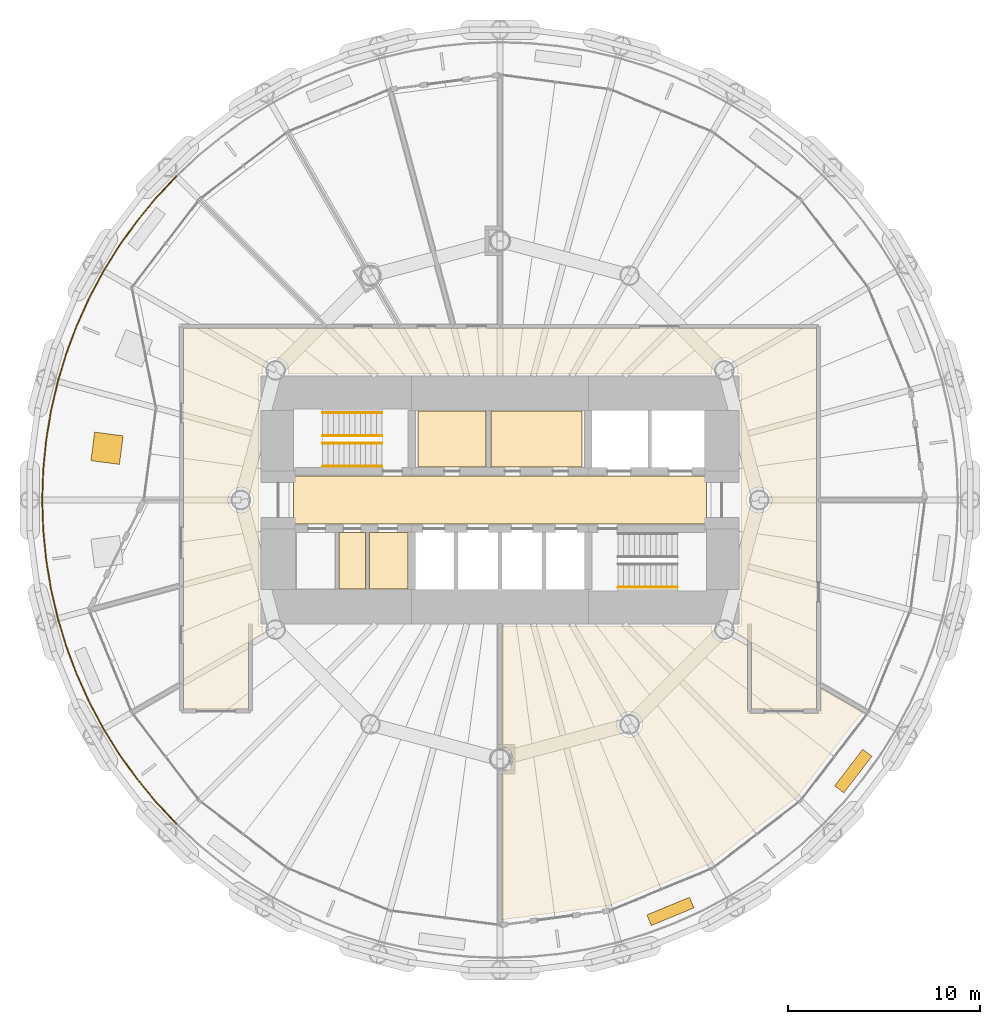
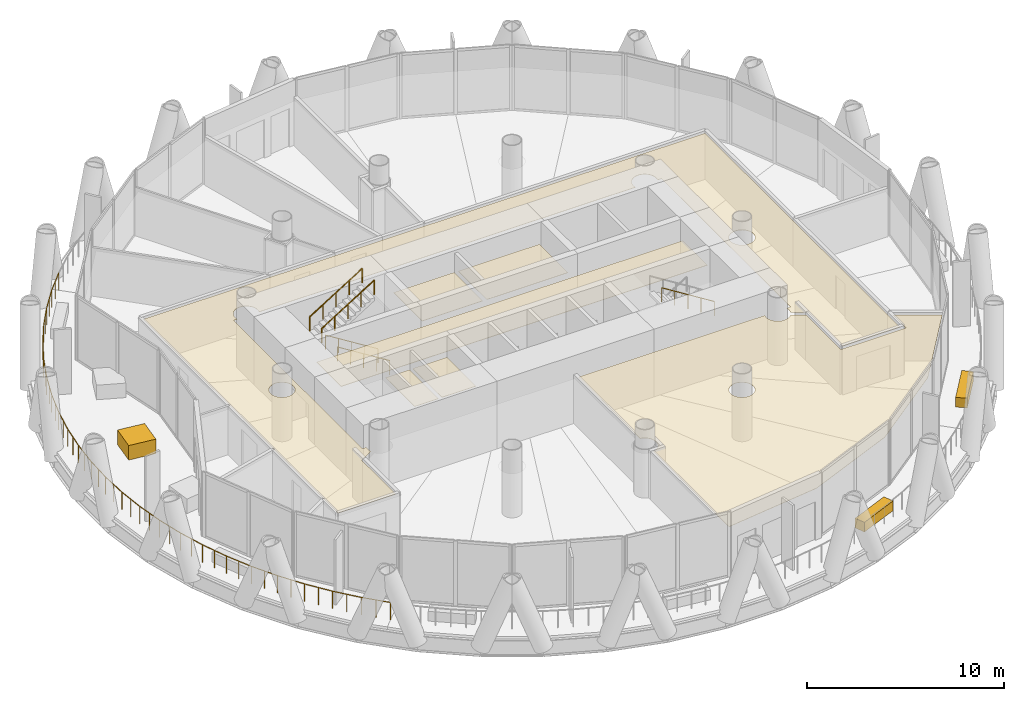
# One storey, part 14 of 16: 10 coverings, 6 railings.
"""IFC4 building model written with IfcOpenShell, lengths in metres."""

from ifc_helpers import new_model, si_unit, direction, frame, origin, origin_2d, place, context, subcontext, project, spatial, polyline, rectangle, circle, outline, extrude, material, layer, layer_set, type_object, element, save


model = new_model("IFC4")

# Units and contexts
model_context = context("Model", 3, precision=1e-05, world=origin(), true_north=direction((0.0, 1.0)))
body_context = subcontext(model_context, "Body", "Model", "MODEL_VIEW")
ifc_project = project(units=[si_unit("LENGTHUNIT", "METRE"), si_unit("AREAUNIT", "SQUARE_METRE"), si_unit("VOLUMEUNIT", "CUBIC_METRE"), si_unit("PLANEANGLEUNIT", "RADIAN"), si_unit("MASSUNIT", "GRAM", prefix="KILO")], contexts=[model_context])

# Site, building, storey
site_placement = place(None, origin())
site = spatial("IfcSite", under=ifc_project, at=site_placement, CompositionType="ELEMENT")
building_placement = place(site_placement, origin())
building = spatial("IfcBuilding", under=site, at=building_placement, Name="Qaws Media Tower", CompositionType="ELEMENT")
storey_placement = place(building_placement, frame((0.0, 0.0, 173.0)))
storey = spatial("IfcBuildingStorey", under=building, at=storey_placement, Name="L39", CompositionType="ELEMENT", Elevation=173.0)

# Railing
ifc_material_1 = material(Name="Stainless steel and glass guard", Category="steel")
railing_type_1 = type_object("IfcRailingType", Name="Balcony guard 1100", PredefinedType="GUARDRAIL", material=ifc_material_1)
railing_1_placement = place(storey_placement, frame((43.135498046875, 66.864501953125, 0.0)))
element("IfcRailing", 1, at=railing_1_placement, inside=storey, type_object=railing_type_1, Name="GR1 balcony guard L39-2", PredefinedType="GUARDRAIL", context=body_context, shape_type="SweptSolid", body=[
    extrude(circle(Radius=0.02392578125, at=origin_2d()), frame((0.0, 0.0, 1.076171875), z_axis=(-0.683576811025, -0.729878581292, 0.0), x_axis=(0.729878581292, -0.683576811025, 0.0)), (0.0, 0.0, 1.0), 1.560791015625),
    extrude(circle(Radius=0.02392578125, at=origin_2d()), frame((-1.06689453125, -1.13916015625, 1.076171875), z_axis=(-0.634395723596, -0.773008451366, 0.0), x_axis=(0.773008451366, -0.634395723596, 0.0)), (0.0, 0.0, 1.0), 1.560546875),
    extrude(circle(Radius=0.02392578125, at=origin_2d()), frame((-2.056884765625, -2.345458984375, 1.076171875), z_axis=(-0.582465550566, -0.812855388371, 0.0), x_axis=(0.812855388371, -0.582465550566, 0.0)), (0.0, 0.0, 1.0), 1.56103515625),
    extrude(circle(Radius=0.02392578125, at=origin_2d()), frame((-2.966064453125, -3.6142578125, 1.076171875), z_axis=(-0.528141483191, -0.849156389443, 0.0), x_axis=(0.849156389443, -0.528141483191, 0.0)), (0.0, 0.0, 1.0), 1.560546875),
    extrude(circle(Radius=0.02392578125, at=origin_2d()), frame((-3.790283203125, -4.939453125, 1.076171875), z_axis=(-0.471326923113, -0.881958577003, 0.0), x_axis=(0.881958577003, -0.471326923113, 0.0)), (0.0, 0.0, 1.0), 1.560791015625),
    extrude(circle(Radius=0.02392578125, at=origin_2d()), frame((-4.52587890625, -6.31591796875, 1.076171875), z_axis=(-0.412659401438, -0.910885403553, 0.0), x_axis=(0.910885403553, -0.412659401438, 0.0)), (0.0, 0.0, 1.0), 1.560791015625),
    extrude(circle(Radius=0.02392578125, at=origin_2d()), frame((-5.169921875, -7.737548828125, 1.076171875), z_axis=(-0.352271731208, -0.935897765459, 0.0), x_axis=(0.935897765459, -0.352271731208, 0.0)), (0.0, 0.0, 1.0), 1.560791015625),
    extrude(circle(Radius=0.02392578125, at=origin_2d()), frame((-5.7197265625, -9.1982421875, 1.076171875), z_axis=(-0.290346037683, -0.956921720101, 0.0), x_axis=(0.956921720101, -0.290346037683, 0.0)), (0.0, 0.0, 1.0), 1.560546875),
    extrude(circle(Radius=0.02392578125, at=origin_2d()), frame((-6.1728515625, -10.691650390625, 1.076171875), z_axis=(-0.227120829425, -0.973866586777, 0.0), x_axis=(0.973866586777, -0.227120829425, 0.0)), (0.0, 0.0, 1.0), 1.560791015625),
    extrude(circle(Radius=0.02392578125, at=origin_2d()), frame((-6.52734375, -12.211669921875, 1.076171875), z_axis=(-0.162851323247, -0.986650620289, 0.0), x_axis=(0.986650620289, -0.162851323247, 0.0)), (0.0, 0.0, 1.0), 1.560546875),
    extrude(circle(Radius=0.02392578125, at=origin_2d()), frame((-6.781494140625, -13.75146484375, 1.076171875), z_axis=(-0.097923827319, -0.995193912784, 0.0), x_axis=(0.995193912784, -0.097923827319, 0.0)), (0.0, 0.0, 1.0), 1.560791015625),
    extrude(circle(Radius=0.02392578125, at=origin_2d()), frame((-6.934326171875, -15.3046875, 1.076171875), z_axis=(-0.032851252607, -0.999460251937, 0.0), x_axis=(0.999460251937, -0.032851252607, 0.0)), (0.0, 0.0, 1.0), 1.560546875),
    extrude(circle(Radius=0.02392578125, at=origin_2d()), frame((-6.985595703125, -16.864501953125, 1.076171875), z_axis=(0.032851252607, -0.999460251937, 0.0), x_axis=(0.999460251937, 0.032851252607, 0.0)), (0.0, 0.0, 1.0), 1.560546875),
    extrude(circle(Radius=0.02392578125, at=origin_2d()), frame((-6.934326171875, -18.42431640625, 1.076171875), z_axis=(0.097923827319, -0.995193912784, 0.0), x_axis=(0.995193912784, 0.097923827319, 0.0)), (0.0, 0.0, 1.0), 1.560791015625),
    extrude(circle(Radius=0.02392578125, at=origin_2d()), frame((-6.781494140625, -19.9775390625, 1.076171875), z_axis=(0.162851323247, -0.986650620289, 0.0), x_axis=(0.986650620289, 0.162851323247, 0.0)), (0.0, 0.0, 1.0), 1.560546875),
    extrude(circle(Radius=0.02392578125, at=origin_2d()), frame((-6.52734375, -21.517333984375, 1.076171875), z_axis=(0.227120829425, -0.973866586777, 0.0), x_axis=(0.973866586777, 0.227120829425, 0.0)), (0.0, 0.0, 1.0), 1.560791015625),
    extrude(circle(Radius=0.02392578125, at=origin_2d()), frame((-6.1728515625, -23.037353515625, 1.076171875), z_axis=(0.290346037683, -0.956921720101, 0.0), x_axis=(0.956921720101, 0.290346037683, 0.0)), (0.0, 0.0, 1.0), 1.560546875),
    extrude(circle(Radius=0.02392578125, at=origin_2d()), frame((-5.7197265625, -24.53076171875, 1.076171875), z_axis=(0.352271731208, -0.935897765459, 0.0), x_axis=(0.935897765459, 0.352271731208, 0.0)), (0.0, 0.0, 1.0), 1.560791015625),
    extrude(circle(Radius=0.02392578125, at=origin_2d()), frame((-5.169921875, -25.991455078125, 1.076171875), z_axis=(0.412659401438, -0.910885403553, 0.0), x_axis=(0.910885403553, 0.412659401438, 0.0)), (0.0, 0.0, 1.0), 1.560791015625),
    extrude(circle(Radius=0.02392578125, at=origin_2d()), frame((-4.52587890625, -27.4130859375, 1.076171875), z_axis=(0.471326923113, -0.881958577003, 0.0), x_axis=(0.881958577003, 0.471326923113, 0.0)), (0.0, 0.0, 1.0), 1.560791015625),
    extrude(circle(Radius=0.02392578125, at=origin_2d()), frame((-3.790283203125, -28.78955078125, 1.076171875), z_axis=(0.528141483191, -0.849156389443, 0.0), x_axis=(0.849156389443, 0.528141483191, 0.0)), (0.0, 0.0, 1.0), 1.560546875),
    extrude(circle(Radius=0.02392578125, at=origin_2d()), frame((-2.966064453125, -30.11474609375, 1.076171875), z_axis=(0.582465550566, -0.812855388371, 0.0), x_axis=(0.812855388371, 0.582465550566, 0.0)), (0.0, 0.0, 1.0), 1.56103515625),
    extrude(circle(Radius=0.02392578125, at=origin_2d()), frame((-2.056884765625, -31.383544921875, 1.076171875), z_axis=(0.634395723596, -0.773008451366, 0.0), x_axis=(0.773008451366, 0.634395723596, 0.0)), (0.0, 0.0, 1.0), 1.560546875),
    extrude(circle(Radius=0.02392578125, at=origin_2d()), frame((-1.06689453125, -32.58984375, 1.076171875), z_axis=(0.683576811025, -0.729878581292, 0.0), x_axis=(0.729878581292, 0.683576811025, 0.0)), (0.0, 0.0, 1.0), 1.560791015625),
    extrude(circle(Radius=0.02099609375, at=origin_2d()), origin(), (0.0, 0.0, 1.0), 1.052001953125),
    extrude(circle(Radius=0.02099609375, at=origin_2d()), frame((-0.533447265625, -0.569580078125, 0.0)), (0.0, 0.0, 1.0), 1.052001953125),
    extrude(circle(Radius=0.02099609375, at=origin_2d()), frame((-1.06689453125, -1.13916015625, 0.0)), (0.0, 0.0, 1.0), 1.052001953125),
    extrude(circle(Radius=0.02099609375, at=origin_2d()), frame((-1.56201171875, -1.7421875, 0.0)), (0.0, 0.0, 1.0), 1.052001953125),
    extrude(circle(Radius=0.02099609375, at=origin_2d()), frame((-2.056884765625, -2.345458984375, 0.0)), (0.0, 0.0, 1.0), 1.052001953125),
    extrude(circle(Radius=0.02099609375, at=origin_2d()), frame((-2.511474609375, -2.97998046875, 0.0)), (0.0, 0.0, 1.0), 1.052001953125),
    extrude(circle(Radius=0.02099609375, at=origin_2d()), frame((-2.966064453125, -3.6142578125, 0.0)), (0.0, 0.0, 1.0), 1.052001953125),
    extrude(circle(Radius=0.02099609375, at=origin_2d()), frame((-3.378173828125, -4.27685546875, 0.0)), (0.0, 0.0, 1.0), 1.052001953125),
    extrude(circle(Radius=0.02099609375, at=origin_2d()), frame((-3.790283203125, -4.939453125, 0.0)), (0.0, 0.0, 1.0), 1.052001953125),
    extrude(circle(Radius=0.02099609375, at=origin_2d()), frame((-4.158203125, -5.627685546875, 0.0)), (0.0, 0.0, 1.0), 1.052001953125),
    extrude(circle(Radius=0.02099609375, at=origin_2d()), frame((-4.52587890625, -6.31591796875, 0.0)), (0.0, 0.0, 1.0), 1.052001953125),
    extrude(circle(Radius=0.02099609375, at=origin_2d()), frame((-4.847900390625, -7.02685546875, 0.0)), (0.0, 0.0, 1.0), 1.052001953125),
    extrude(circle(Radius=0.02099609375, at=origin_2d()), frame((-5.169921875, -7.737548828125, 0.0)), (0.0, 0.0, 1.0), 1.052001953125),
    extrude(circle(Radius=0.02099609375, at=origin_2d()), frame((-5.44482421875, -8.4677734375, 0.0)), (0.0, 0.0, 1.0), 1.052001953125),
    extrude(circle(Radius=0.02099609375, at=origin_2d()), frame((-5.7197265625, -9.1982421875, 0.0)), (0.0, 0.0, 1.0), 1.052001953125),
    extrude(circle(Radius=0.02099609375, at=origin_2d()), frame((-5.9462890625, -9.94482421875, 0.0)), (0.0, 0.0, 1.0), 1.052001953125),
    extrude(circle(Radius=0.02099609375, at=origin_2d()), frame((-6.1728515625, -10.691650390625, 0.0)), (0.0, 0.0, 1.0), 1.052001953125),
    extrude(circle(Radius=0.02099609375, at=origin_2d()), frame((-6.35009765625, -11.45166015625, 0.0)), (0.0, 0.0, 1.0), 1.052001953125),
    extrude(circle(Radius=0.02099609375, at=origin_2d()), frame((-6.52734375, -12.211669921875, 0.0)), (0.0, 0.0, 1.0), 1.052001953125),
    extrude(circle(Radius=0.02099609375, at=origin_2d()), frame((-6.654296875, -12.9814453125, 0.0)), (0.0, 0.0, 1.0), 1.052001953125),
    extrude(circle(Radius=0.02099609375, at=origin_2d()), frame((-6.781494140625, -13.75146484375, 0.0)), (0.0, 0.0, 1.0), 1.052001953125),
    extrude(circle(Radius=0.02099609375, at=origin_2d()), frame((-6.85791015625, -14.528076171875, 0.0)), (0.0, 0.0, 1.0), 1.052001953125),
    extrude(circle(Radius=0.02099609375, at=origin_2d()), frame((-6.934326171875, -15.3046875, 0.0)), (0.0, 0.0, 1.0), 1.052001953125),
    extrude(circle(Radius=0.02099609375, at=origin_2d()), frame((-6.9599609375, -16.08447265625, 0.0)), (0.0, 0.0, 1.0), 1.052001953125),
    extrude(circle(Radius=0.02099609375, at=origin_2d()), frame((-6.985595703125, -16.864501953125, 0.0)), (0.0, 0.0, 1.0), 1.052001953125),
    extrude(circle(Radius=0.02099609375, at=origin_2d()), frame((-6.9599609375, -17.64453125, 0.0)), (0.0, 0.0, 1.0), 1.052001953125),
    extrude(circle(Radius=0.02099609375, at=origin_2d()), frame((-6.934326171875, -18.42431640625, 0.0)), (0.0, 0.0, 1.0), 1.052001953125),
    extrude(circle(Radius=0.02099609375, at=origin_2d()), frame((-6.85791015625, -19.200927734375, 0.0)), (0.0, 0.0, 1.0), 1.052001953125),
    extrude(circle(Radius=0.02099609375, at=origin_2d()), frame((-6.781494140625, -19.9775390625, 0.0)), (0.0, 0.0, 1.0), 1.052001953125),
    extrude(circle(Radius=0.02099609375, at=origin_2d()), frame((-6.654296875, -20.74755859375, 0.0)), (0.0, 0.0, 1.0), 1.052001953125),
    extrude(circle(Radius=0.02099609375, at=origin_2d()), frame((-6.52734375, -21.517333984375, 0.0)), (0.0, 0.0, 1.0), 1.052001953125),
    extrude(circle(Radius=0.02099609375, at=origin_2d()), frame((-6.35009765625, -22.27734375, 0.0)), (0.0, 0.0, 1.0), 1.052001953125),
    extrude(circle(Radius=0.02099609375, at=origin_2d()), frame((-6.1728515625, -23.037353515625, 0.0)), (0.0, 0.0, 1.0), 1.052001953125),
    extrude(circle(Radius=0.02099609375, at=origin_2d()), frame((-5.9462890625, -23.7841796875, 0.0)), (0.0, 0.0, 1.0), 1.052001953125),
    extrude(circle(Radius=0.02099609375, at=origin_2d()), frame((-5.7197265625, -24.53076171875, 0.0)), (0.0, 0.0, 1.0), 1.052001953125),
    extrude(circle(Radius=0.02099609375, at=origin_2d()), frame((-5.44482421875, -25.26123046875, 0.0)), (0.0, 0.0, 1.0), 1.052001953125),
    extrude(circle(Radius=0.02099609375, at=origin_2d()), frame((-5.169921875, -25.991455078125, 0.0)), (0.0, 0.0, 1.0), 1.052001953125),
    extrude(circle(Radius=0.02099609375, at=origin_2d()), frame((-4.847900390625, -26.7021484375, 0.0)), (0.0, 0.0, 1.0), 1.052001953125),
    extrude(circle(Radius=0.02099609375, at=origin_2d()), frame((-4.52587890625, -27.4130859375, 0.0)), (0.0, 0.0, 1.0), 1.052001953125),
    extrude(circle(Radius=0.02099609375, at=origin_2d()), frame((-4.158203125, -28.101318359375, 0.0)), (0.0, 0.0, 1.0), 1.052001953125),
    extrude(circle(Radius=0.02099609375, at=origin_2d()), frame((-3.790283203125, -28.78955078125, 0.0)), (0.0, 0.0, 1.0), 1.052001953125),
    extrude(circle(Radius=0.02099609375, at=origin_2d()), frame((-3.378173828125, -29.4521484375, 0.0)), (0.0, 0.0, 1.0), 1.052001953125),
    extrude(circle(Radius=0.02099609375, at=origin_2d()), frame((-2.966064453125, -30.11474609375, 0.0)), (0.0, 0.0, 1.0), 1.052001953125),
    extrude(circle(Radius=0.02099609375, at=origin_2d()), frame((-2.511474609375, -30.7490234375, 0.0)), (0.0, 0.0, 1.0), 1.052001953125),
    extrude(circle(Radius=0.02099609375, at=origin_2d()), frame((-2.056884765625, -31.383544921875, 0.0)), (0.0, 0.0, 1.0), 1.052001953125),
    extrude(circle(Radius=0.02099609375, at=origin_2d()), frame((-1.56201171875, -31.98681640625, 0.0)), (0.0, 0.0, 1.0), 1.052001953125),
    extrude(circle(Radius=0.02099609375, at=origin_2d()), frame((-1.06689453125, -32.58984375, 0.0)), (0.0, 0.0, 1.0), 1.052001953125),
    extrude(circle(Radius=0.02099609375, at=origin_2d()), frame((-0.533447265625, -33.159423828125, 0.0)), (0.0, 0.0, 1.0), 1.052001953125),
    extrude(circle(Radius=0.02099609375, at=origin_2d()), frame((0.0, -33.72900390625, 0.0)), (0.0, 0.0, 1.0), 1.052001953125),
])

# Coverings
ifc_material_2 = material(Name="600 x 600 mineral fibre tiles in exposed grid, suspended", Category="mineral fibre")
ifc_layer_1 = layer(ifc_material_2, 0.02001953125)
ifc_layer_set_1 = layer_set([ifc_layer_1], Name="Mineral fibre tile ceiling 20")
covering_type_1 = type_object("IfcCoveringType", Name="Mineral fibre tile ceiling 20", PredefinedType="CEILING", material=ifc_layer_set_1)
covering_1_placement = place(storey_placement, frame((0.0, 0.0, 2.85009765625)))
element("IfcCovering", 2, at=covering_1_placement, inside=storey, type_object=covering_type_1, Name="CL1 ceiling L39-C07 Gents toilets", PredefinedType="CEILING", context=body_context, shape_type="SweptSolid", body=[
    extrude(outline(polyline([(55.719970703125, 51.719970703125), (55.719970703125, 54.6298828125), (59.280029296875, 54.6298828125), (59.280029296875, 51.719970703125), (55.719970703125, 51.719970703125)])), origin(), (0.0, 0.0, 1.0), 0.02001953125),
])
covering_2_placement = place(storey_placement, frame((0.0, 0.0, 2.85009765625)))
element("IfcCovering", 3, at=covering_2_placement, inside=storey, type_object=covering_type_1, Name="CL1 ceiling L39-C08 Ladies toilets", PredefinedType="CEILING", context=body_context, shape_type="SweptSolid", body=[
    extrude(outline(polyline([(59.52001953125, 51.719970703125), (59.52001953125, 54.6298828125), (64.280029296875, 54.6298828125), (64.280029296875, 51.719970703125), (59.52001953125, 51.719970703125)])), origin(), (0.0, 0.0, 1.0), 0.02001953125),
])
covering_3_placement = place(storey_placement, frame((0.0, 0.0, 2.85009765625)))
element("IfcCovering", 4, at=covering_3_placement, inside=storey, type_object=covering_type_1, Name="CL1 ceiling L39-01 Corridor", PredefinedType="CEILING", context=body_context, shape_type="SweptSolid", body=[
    extrude(outline(polyline([(43.512451171875, 39.112548828125), (43.512451171875, 58.9375), (76.487548828125, 58.9375), (76.487548828125, 39.112548828125), (73.112548828125, 39.112548828125), (73.112548828125, 42.559326171875), (72.31689453125, 43.018798828125), (72.336669921875, 43.0771484375), (72.353515625, 43.162841796875), (72.359375, 43.25), (72.353515625, 43.337158203125), (72.336669921875, 43.4228515625), (72.33154296875, 43.4375), (72.5625, 43.4375), (72.5625, 56.5625), (72.33154296875, 56.5625), (72.336669921875, 56.5771484375), (72.353515625, 56.662841796875), (72.359375, 56.75), (72.353515625, 56.837158203125), (72.336669921875, 56.9228515625), (72.30859375, 57.005615234375), (72.269775390625, 57.083984375), (72.22119140625, 57.15673828125), (72.163818359375, 57.222412109375), (72.097900390625, 57.280029296875), (72.025390625, 57.32861328125), (71.947021484375, 57.3671875), (71.8642578125, 57.395263671875), (71.778564453125, 57.412353515625), (71.69140625, 57.41796875), (71.604248046875, 57.412353515625), (71.5185546875, 57.395263671875), (71.435791015625, 57.3671875), (71.357421875, 57.32861328125), (71.28466796875, 57.280029296875), (71.218994140625, 57.222412109375), (71.161376953125, 57.15673828125), (71.11279296875, 57.083984375), (71.07421875, 57.005615234375), (71.046142578125, 56.9228515625), (71.029052734375, 56.837158203125), (71.023193359375, 56.75), (71.029052734375, 56.662841796875), (71.046142578125, 56.5771484375), (71.051025390625, 56.5625), (48.948974609375, 56.5625), (48.953857421875, 56.5771484375), (48.970947265625, 56.662841796875), (48.976806640625, 56.75), (48.970947265625, 56.837158203125), (48.953857421875, 56.9228515625), (48.92578125, 57.005615234375), (48.88720703125, 57.083984375), (48.838623046875, 57.15673828125), (48.781005859375, 57.222412109375), (48.71533203125, 57.280029296875), (48.642578125, 57.32861328125), (48.564208984375, 57.3671875), (48.4814453125, 57.395263671875), (48.395751953125, 57.412353515625), (48.30859375, 57.41796875), (48.221435546875, 57.412353515625), (48.1357421875, 57.395263671875), (48.052978515625, 57.3671875), (47.974609375, 57.32861328125), (47.902099609375, 57.280029296875), (47.836181640625, 57.222412109375), (47.77880859375, 57.15673828125), (47.730224609375, 57.083984375), (47.69140625, 57.005615234375), (47.663330078125, 56.9228515625), (47.646484375, 56.837158203125), (47.640625, 56.75), (47.646484375, 56.662841796875), (47.663330078125, 56.5771484375), (47.66845703125, 56.5625), (47.4375, 56.5625), (47.4375, 43.4375), (47.66845703125, 43.4375), (47.663330078125, 43.4228515625), (47.646484375, 43.337158203125), (47.640625, 43.25), (47.646484375, 43.162841796875), (47.663330078125, 43.0771484375), (47.68310546875, 43.018798828125), (46.887451171875, 42.559326171875), (46.887451171875, 39.112548828125), (43.512451171875, 39.112548828125)]), holes=[polyline([(47.1171875, 49.744384765625), (47.145263671875, 49.8271484375), (47.162353515625, 49.912841796875), (47.16796875, 50.0), (47.162353515625, 50.087158203125), (47.145263671875, 50.1728515625), (47.1171875, 50.255615234375), (47.07861328125, 50.333984375), (47.030029296875, 50.40673828125), (46.972412109375, 50.472412109375), (46.90673828125, 50.530029296875), (46.833984375, 50.57861328125), (46.755615234375, 50.6171875), (46.6728515625, 50.645263671875), (46.587158203125, 50.662353515625), (46.5, 50.66796875), (46.412841796875, 50.662353515625), (46.3271484375, 50.645263671875), (46.244384765625, 50.6171875), (46.166015625, 50.57861328125), (46.09326171875, 50.530029296875), (46.027587890625, 50.472412109375), (45.969970703125, 50.40673828125), (45.92138671875, 50.333984375), (45.8828125, 50.255615234375), (45.854736328125, 50.1728515625), (45.837646484375, 50.087158203125), (45.83203125, 50.0), (45.837646484375, 49.912841796875), (45.854736328125, 49.8271484375), (45.8828125, 49.744384765625), (45.92138671875, 49.666015625), (45.969970703125, 49.59326171875), (46.027587890625, 49.527587890625), (46.09326171875, 49.469970703125), (46.166015625, 49.42138671875), (46.244384765625, 49.3828125), (46.3271484375, 49.354736328125), (46.412841796875, 49.337646484375), (46.5, 49.33203125), (46.587158203125, 49.337646484375), (46.6728515625, 49.354736328125), (46.755615234375, 49.3828125), (46.833984375, 49.42138671875), (46.90673828125, 49.469970703125), (46.972412109375, 49.527587890625), (47.030029296875, 49.59326171875), (47.07861328125, 49.666015625), (47.1171875, 49.744384765625)]), polyline([(74.145263671875, 49.8271484375), (74.162353515625, 49.912841796875), (74.16796875, 50.0), (74.162353515625, 50.087158203125), (74.145263671875, 50.1728515625), (74.1171875, 50.255615234375), (74.07861328125, 50.333984375), (74.030029296875, 50.40673828125), (73.972412109375, 50.472412109375), (73.90673828125, 50.530029296875), (73.833984375, 50.57861328125), (73.755615234375, 50.6171875), (73.6728515625, 50.645263671875), (73.587158203125, 50.662353515625), (73.5, 50.66796875), (73.412841796875, 50.662353515625), (73.3271484375, 50.645263671875), (73.244384765625, 50.6171875), (73.166015625, 50.57861328125), (73.09326171875, 50.530029296875), (73.027587890625, 50.472412109375), (72.969970703125, 50.40673828125), (72.92138671875, 50.333984375), (72.8828125, 50.255615234375), (72.854736328125, 50.1728515625), (72.837646484375, 50.087158203125), (72.83203125, 50.0), (72.837646484375, 49.912841796875), (72.854736328125, 49.8271484375), (72.8828125, 49.744384765625), (72.92138671875, 49.666015625), (72.969970703125, 49.59326171875), (73.027587890625, 49.527587890625), (73.09326171875, 49.469970703125), (73.166015625, 49.42138671875), (73.244384765625, 49.3828125), (73.3271484375, 49.354736328125), (73.412841796875, 49.337646484375), (73.5, 49.33203125), (73.587158203125, 49.337646484375), (73.6728515625, 49.354736328125), (73.755615234375, 49.3828125), (73.833984375, 49.42138671875), (73.90673828125, 49.469970703125), (73.972412109375, 49.527587890625), (74.030029296875, 49.59326171875), (74.07861328125, 49.666015625), (74.1171875, 49.744384765625), (74.145263671875, 49.8271484375)])]), origin(), (0.0, 0.0, 1.0), 0.02001953125),
])
covering_4_placement = place(storey_placement, frame((0.0, 0.0, 2.85009765625)))
element("IfcCovering", 5, at=covering_4_placement, inside=storey, type_object=covering_type_1, Name="CL1 ceiling L39-10 Communications office", PredefinedType="CEILING", context=body_context, shape_type="SweptSolid", body=[
    extrude(outline(polyline([(72.887451171875, 38.887451171875), (76.71240234375, 38.887451171875), (76.71240234375, 40.22119140625), (78.884033203125, 38.96728515625), (75.47509765625, 34.52490234375), (70.942626953125, 31.046875), (65.664306640625, 28.860595703125), (60.112548828125, 28.129638671875), (60.112548828125, 35.8427734375), (60.1728515625, 35.854736328125), (60.255615234375, 35.8828125), (60.333984375, 35.92138671875), (60.40673828125, 35.969970703125), (60.472412109375, 36.027587890625), (60.530029296875, 36.09326171875), (60.57861328125, 36.166015625), (60.6171875, 36.244384765625), (60.645263671875, 36.3271484375), (60.662353515625, 36.412841796875), (60.66796875, 36.5), (60.662353515625, 36.587158203125), (60.645263671875, 36.6728515625), (60.6171875, 36.755615234375), (60.57861328125, 36.833984375), (60.530029296875, 36.90673828125), (60.472412109375, 36.972412109375), (60.40673828125, 37.030029296875), (60.333984375, 37.07861328125), (60.255615234375, 37.1171875), (60.1728515625, 37.145263671875), (60.112548828125, 37.1572265625), (60.112548828125, 43.4375), (71.051025390625, 43.4375), (71.046142578125, 43.4228515625), (71.029052734375, 43.337158203125), (71.023193359375, 43.25), (71.029052734375, 43.162841796875), (71.046142578125, 43.0771484375), (71.07421875, 42.994384765625), (71.11279296875, 42.916015625), (71.161376953125, 42.84326171875), (71.218994140625, 42.777587890625), (71.28466796875, 42.719970703125), (71.357421875, 42.67138671875), (71.435791015625, 42.6328125), (71.5185546875, 42.604736328125), (71.604248046875, 42.587646484375), (71.69140625, 42.58203125), (71.778564453125, 42.587646484375), (71.8642578125, 42.604736328125), (71.947021484375, 42.6328125), (72.025390625, 42.67138671875), (72.097900390625, 42.719970703125), (72.163818359375, 42.777587890625), (72.204345703125, 42.823974609375), (72.887451171875, 42.429443359375), (72.887451171875, 38.887451171875)]), holes=[polyline([(67.3671875, 38.052978515625), (67.395263671875, 38.1357421875), (67.412353515625, 38.221435546875), (67.41796875, 38.30859375), (67.412353515625, 38.395751953125), (67.395263671875, 38.4814453125), (67.3671875, 38.564208984375), (67.32861328125, 38.642578125), (67.280029296875, 38.71533203125), (67.222412109375, 38.781005859375), (67.15673828125, 38.838623046875), (67.083984375, 38.88720703125), (67.005615234375, 38.92578125), (66.9228515625, 38.953857421875), (66.837158203125, 38.970947265625), (66.75, 38.976806640625), (66.662841796875, 38.970947265625), (66.5771484375, 38.953857421875), (66.494384765625, 38.92578125), (66.416015625, 38.88720703125), (66.34326171875, 38.838623046875), (66.277587890625, 38.781005859375), (66.219970703125, 38.71533203125), (66.17138671875, 38.642578125), (66.1328125, 38.564208984375), (66.104736328125, 38.4814453125), (66.087646484375, 38.395751953125), (66.08203125, 38.30859375), (66.087646484375, 38.221435546875), (66.104736328125, 38.1357421875), (66.1328125, 38.052978515625), (66.17138671875, 37.974609375), (66.219970703125, 37.902099609375), (66.277587890625, 37.836181640625), (66.34326171875, 37.77880859375), (66.416015625, 37.730224609375), (66.494384765625, 37.69140625), (66.5771484375, 37.663330078125), (66.662841796875, 37.646484375), (66.75, 37.640625), (66.837158203125, 37.646484375), (66.9228515625, 37.663330078125), (67.005615234375, 37.69140625), (67.083984375, 37.730224609375), (67.15673828125, 37.77880859375), (67.222412109375, 37.836181640625), (67.280029296875, 37.902099609375), (67.32861328125, 37.974609375), (67.3671875, 38.052978515625)])]), origin(), (0.0, 0.0, 1.0), 0.02001953125),
])
covering_5_placement = place(storey_placement, frame((0.0, 0.0, 2.85009765625)))
element("IfcCovering", 6, at=covering_5_placement, inside=storey, type_object=covering_type_1, Name="CL1 ceiling L39-C05 First aid room", PredefinedType="CEILING", context=body_context, shape_type="SweptSolid", body=[
    extrude(outline(polyline([(51.60009765625, 45.35009765625), (51.60009765625, 48.300048828125), (53.0, 48.300048828125), (53.0, 45.35009765625), (51.60009765625, 45.35009765625)])), origin(), (0.0, 0.0, 1.0), 0.02001953125),
])
ifc_material_3 = material(Name="Precast concrete planter with trailing planting", Category="concrete")
ifc_layer_2 = layer(ifc_material_3, 0.60009765625)
ifc_layer_set_2 = layer_set([ifc_layer_2], Name="Planter 2400x600")
covering_type_2 = type_object("IfcCoveringType", Name="Planter 2400x600", PredefinedType="USERDEFINED", material=ifc_layer_set_2)
for number, where, z_axis, x_axis, name in (
    (7, (68.878173828125, 28.56591796875, 0.0), (0.0, 0.0, 1.0), (0.923879532511, 0.382683432365, 0.0), "PL1 balcony planter L39-10"),
    (8, (78.40576171875, 35.876708984375, 0.0), (0.0, 0.0, 1.0), (0.608761429009, 0.793353340291, 0.0), "PL1 balcony planter L39-11"),
):
    element("IfcCovering", number, at=place(storey_placement, frame(where, z_axis=z_axis, x_axis=x_axis)), inside=storey, type_object=covering_type_2, Name=name, ObjectType="PLANTER", PredefinedType="USERDEFINED", context=body_context, shape_type="SweptSolid", body=[
        extrude(rectangle(XDim=2.39990234375, YDim=0.60009765625, at=origin_2d()), origin(), (0.0, 0.0, 1.0), 0.60009765625),
    ])
ifc_material_4 = material(Name="Two layers 12.5 moisture-resistant plasterboard on suspended metal furring", Category="gypsum")
ifc_layer_3 = layer(ifc_material_4, 0.02490234375)
ifc_layer_set_3 = layer_set([ifc_layer_3], Name="Plasterboard ceiling 25")
covering_type_3 = type_object("IfcCoveringType", Name="Plasterboard ceiling 25", PredefinedType="CEILING", material=ifc_layer_set_3)
covering_6_placement = place(storey_placement, frame((0.0, 0.0, 2.85009765625)))
element("IfcCovering", 9, at=covering_6_placement, inside=storey, type_object=covering_type_3, Name="CL2 ceiling L39-C01 Lift lobby", PredefinedType="CEILING", context=body_context, shape_type="SweptSolid", body=[
    extrude(outline(polyline([(49.25, 48.75), (49.25, 51.25), (70.75, 51.25), (70.75, 48.75), (49.25, 48.75)])), origin(), (0.0, 0.0, 1.0), 0.02490234375),
])
covering_7_placement = place(storey_placement, frame((0.0, 0.0, 2.85009765625)))
element("IfcCovering", 10, at=covering_7_placement, inside=storey, type_object=covering_type_3, Name="CL2 ceiling L39-C06 Accessible WC", PredefinedType="CEILING", context=body_context, shape_type="SweptSolid", body=[
    extrude(outline(polyline([(53.199951171875, 45.35009765625), (53.199951171875, 48.300048828125), (55.199951171875, 48.300048828125), (55.199951171875, 45.35009765625), (53.199951171875, 45.35009765625)])), origin(), (0.0, 0.0, 1.0), 0.02490234375),
])

# Railings
ifc_material_5 = material(Name="Steel tube handrail", Category="steel")
railing_type_2 = type_object("IfcRailingType", Name="Stair handrail 900", PredefinedType="HANDRAIL", material=ifc_material_5)
for number, where, name in (
    (11, (53.840087890625, 51.75, 0.175048828125), "HR1 handrail S1 flight 1 L39"),
    (12, (53.840087890625, 52.9599609375, 0.175048828125), "HR1 handrail S1 flight 1 L39"),
):
    element("IfcRailing", number, at=place(storey_placement, frame(where)), inside=storey, type_object=railing_type_2, Name=name, PredefinedType="HANDRAIL", context=body_context, shape_type="SweptSolid", body=[
        extrude(circle(Radius=0.02392578125, at=origin_2d()), frame((0.0, 0.0, 0.8759765625), z_axis=(-0.847998304005, 0.0, 0.529998940003), x_axis=(0.0, -1.0, 0.0)), (0.0, 0.0, 1.0), 3.632080078125),
        extrude(circle(Radius=0.02099609375, at=origin_2d()), origin(), (0.0, 0.0, 1.0), 0.851806640625),
        extrude(circle(Radius=0.02099609375, at=origin_2d()), frame((-0.77001953125, 0.0, 0.481201171875)), (0.0, 0.0, 1.0), 0.851806640625),
        extrude(circle(Radius=0.02099609375, at=origin_2d()), frame((-1.5400390625, 0.0, 0.96240234375)), (0.0, 0.0, 1.0), 0.851806640625),
        extrude(circle(Radius=0.02099609375, at=origin_2d()), frame((-2.31005859375, 0.0, 1.44384765625)), (0.0, 0.0, 1.0), 0.851806640625),
        extrude(circle(Radius=0.02099609375, at=origin_2d()), frame((-3.080078125, 0.0, 1.925048828125)), (0.0, 0.0, 1.0), 0.851806640625),
    ])
for number, where, name in (
    (13, (50.760009765625, 54.550048828125, 2.27490234375), "HR1 handrail S1 flight 2 L39"),
    (14, (50.760009765625, 53.340087890625, 2.27490234375), "HR1 handrail S1 flight 2 L39"),
):
    element("IfcRailing", number, at=place(storey_placement, frame(where)), inside=storey, type_object=railing_type_2, Name=name, PredefinedType="HANDRAIL", context=body_context, shape_type="SweptSolid", body=[
        extrude(circle(Radius=0.02392578125, at=origin_2d()), frame((0.0, 0.0, 0.8759765625), z_axis=(0.847998304005, 0.0, 0.529998940003), x_axis=(0.0, 1.0, 0.0)), (0.0, 0.0, 1.0), 3.632080078125),
        extrude(circle(Radius=0.02099609375, at=origin_2d()), origin(), (0.0, 0.0, 1.0), 0.851806640625),
        extrude(circle(Radius=0.02099609375, at=origin_2d()), frame((0.77001953125, 0.0, 0.481201171875)), (0.0, 0.0, 1.0), 0.851806640625),
        extrude(circle(Radius=0.02099609375, at=origin_2d()), frame((1.5400390625, 0.0, 0.96240234375)), (0.0, 0.0, 1.0), 0.851806640625),
        extrude(circle(Radius=0.02099609375, at=origin_2d()), frame((2.31005859375, 0.0, 1.44384765625)), (0.0, 0.0, 1.0), 0.851806640625),
        extrude(circle(Radius=0.02099609375, at=origin_2d()), frame((3.080078125, 0.0, 1.925048828125)), (0.0, 0.0, 1.0), 0.851806640625),
    ])
railing_2_placement = place(storey_placement, frame((69.239990234375, 45.449951171875, 2.27490234375)))
element("IfcRailing", 15, at=railing_2_placement, inside=storey, type_object=railing_type_2, Name="HR1 handrail S2 flight 2 L39", PredefinedType="HANDRAIL", context=body_context, shape_type="SweptSolid", body=[
    extrude(circle(Radius=0.02392578125, at=origin_2d()), frame((0.0, 0.0, 0.8759765625), z_axis=(-0.847998304005, 0.0, 0.529998940003), x_axis=(0.0, -1.0, 0.0)), (0.0, 0.0, 1.0), 3.632080078125),
    extrude(circle(Radius=0.02099609375, at=origin_2d()), origin(), (0.0, 0.0, 1.0), 0.851806640625),
    extrude(circle(Radius=0.02099609375, at=origin_2d()), frame((-0.77001953125, 0.0, 0.481201171875)), (0.0, 0.0, 1.0), 0.851806640625),
    extrude(circle(Radius=0.02099609375, at=origin_2d()), frame((-1.5400390625, 0.0, 0.96240234375)), (0.0, 0.0, 1.0), 0.851806640625),
    extrude(circle(Radius=0.02099609375, at=origin_2d()), frame((-2.31005859375, 0.0, 1.44384765625)), (0.0, 0.0, 1.0), 0.851806640625),
    extrude(circle(Radius=0.02099609375, at=origin_2d()), frame((-3.080078125, 0.0, 1.925048828125)), (0.0, 0.0, 1.0), 0.851806640625),
])

# Covering
ifc_material_6 = material(Name="Precast concrete tree planter", Category="concrete")
ifc_layer_4 = layer(ifc_material_6, 0.89990234375)
ifc_layer_set_4 = layer_set([ifc_layer_4], Name="Tree planter 1500")
covering_type_4 = type_object("IfcCoveringType", Name="Tree planter 1500", PredefinedType="USERDEFINED", material=ifc_layer_set_4)
covering_8_placement = place(storey_placement, frame((39.526611328125, 52.6953125, 0.0), z_axis=(0.0, 0.0, 1.0), x_axis=(-0.991444861374, 0.13052619222, 0.0)))
element("IfcCovering", 16, at=covering_8_placement, inside=storey, type_object=covering_type_4, Name="PL2 sky garden tree planter L39-2", ObjectType="PLANTER", PredefinedType="USERDEFINED", context=body_context, shape_type="SweptSolid", body=[
    extrude(rectangle(XDim=1.5, YDim=1.5, at=origin_2d()), origin(), (0.0, 0.0, 1.0), 0.89990234375),
])

save(model, "model.ifc")
